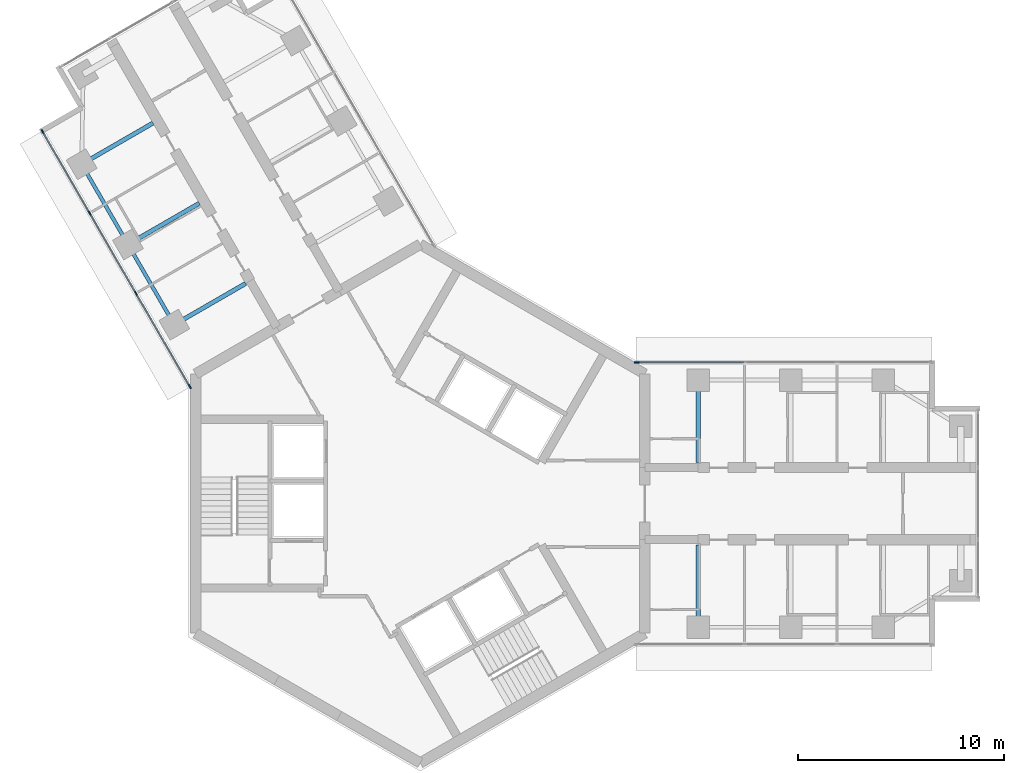
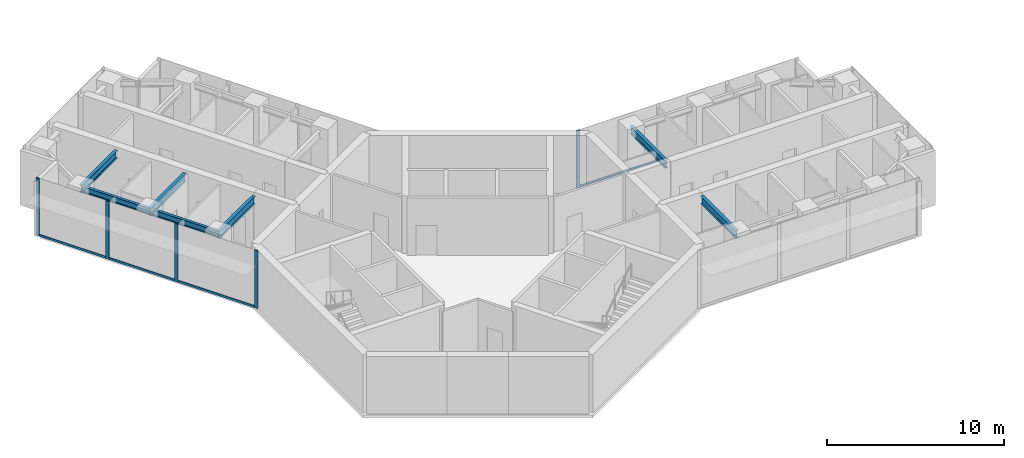
# One storey, part 5 of 17: 9 members, 7 beams, 2 elements without a shape of their own.
"""IFC4 building model written with IfcOpenShell, lengths in metres."""

from ifc_helpers import new_model, si_unit, direction, frame, origin, origin_2d, place, context, subcontext, project, spatial, rectangle, i_section, extrude, material, material_profile, profile_set, type_object, element, aggregate, save


model = new_model("IFC4")

# Units and contexts
model_context = context("Model", 3, precision=1e-05, world=origin(), true_north=direction((0.0, 1.0)))
body_context = subcontext(model_context, "Body", "Model", "MODEL_VIEW")
ifc_project = project(units=[si_unit("LENGTHUNIT", "METRE"), si_unit("AREAUNIT", "SQUARE_METRE"), si_unit("VOLUMEUNIT", "CUBIC_METRE"), si_unit("PLANEANGLEUNIT", "RADIAN"), si_unit("MASSUNIT", "GRAM", prefix="KILO")], contexts=[model_context])

# Site, building, storey
site_placement = place(None, origin())
site = spatial("IfcSite", under=ifc_project, at=site_placement, CompositionType="ELEMENT")
building_placement = place(site_placement, origin())
building = spatial("IfcBuilding", under=site, at=building_placement, Name="Upepo Twin Towers", CompositionType="ELEMENT")
storey_placement = place(building_placement, frame((0.0, 0.0, 230.5)))
storey = spatial("IfcBuildingStorey", under=building, at=storey_placement, Name="L56", CompositionType="ELEMENT", Elevation=230.5)

# Beams
ifc_material_1 = material(Name="Steel S355", Category="steel")
ifc_material_profile_1 = material_profile(ifc_material_1, i_section(OverallWidth=0.177978515625, OverallDepth=0.406494140625, WebThickness=0.0078125, FlangeThickness=0.0126953125, FilletRadius=0.01025390625, at=origin_2d()), Name="UB 406x178x60")
ifc_profile_set_1 = profile_set([ifc_material_profile_1], Name="Steel S355")
beam_type_1 = type_object("IfcBeamType", Name="Beam UB 406x178x60", PredefinedType="BEAM", material=ifc_profile_set_1)
beam_1_placement = place(storey_placement, frame((-11.946044921875, 8.69140625, 3.5966796875), z_axis=(-0.500013631625, 0.866017533419, 0.0), x_axis=(-0.866017533419, -0.500013631625, 0.0)))
element("IfcBeam", 1, at=beam_1_placement, inside=storey, type_object=beam_type_1, Name="T1 edge beam BL 13.5-18.0", PredefinedType="BEAM", context=body_context, shape_type="SweptSolid", body=[
    extrude(i_section(OverallWidth=0.177978515625, OverallDepth=0.406494140625, WebThickness=0.0078125, FlangeThickness=0.0126953125, FilletRadius=0.01025390625, at=origin_2d()), origin(), (0.0, 0.0, 1.0), 4.499755859375),
])
beam_2_placement = place(storey_placement, frame((-14.196044921875, 12.58837890625, 3.5966796875), z_axis=(-0.499990139034, 0.866031096941, 0.0), x_axis=(-0.866031096941, -0.499990139034, 0.0)))
element("IfcBeam", 2, at=beam_2_placement, inside=storey, type_object=beam_type_1, Name="T1 edge beam BL 18.0-22.5", PredefinedType="BEAM", context=body_context, shape_type="SweptSolid", body=[
    extrude(i_section(OverallWidth=0.177978515625, OverallDepth=0.406494140625, WebThickness=0.0078125, FlangeThickness=0.0126953125, FilletRadius=0.01025390625, at=origin_2d()), origin(), (0.0, 0.0, 1.0), 4.5),
])
ifc_material_2 = material(Name="Steel S355", Category="steel")
ifc_material_profile_2 = material_profile(ifc_material_2, i_section(OverallWidth=0.209228515625, OverallDepth=0.533203125, WebThickness=0.010009765625, FlangeThickness=0.015625, FilletRadius=0.0126953125, at=origin_2d()), Name="UB 533x210x92")
ifc_profile_set_2 = profile_set([ifc_material_profile_2], Name="Steel S355")
beam_type_2 = type_object("IfcBeamType", Name="Beam UB 533x210x92", PredefinedType="BEAM", material=ifc_profile_set_2)
for number, where, z_axis, x_axis, name in (
    (3, (13.5, 6.0, 3.533447265625), (0.0, -1.0, 0.0), (1.0, 0.0, 0.0), "T1 girder AL at 13.5"),
    (4, (13.5, -6.0, 3.533447265625), (0.0, 1.0, 0.0), (-1.0, 0.0, 0.0), "T1 girder AR at 13.5"),
    (5, (-11.946044921875, 8.69140625, 3.533447265625), (0.866026010844, 0.49999894854, 0.0), (-0.49999894854, 0.866026010844, 0.0), "T1 girder BL at 13.5"),
    (6, (-14.196044921875, 12.58837890625, 3.533447265625), (0.866026010844, 0.49999894854, 0.0), (-0.49999894854, 0.866026010844, 0.0), "T1 girder BL at 18.0"),
    (7, (-16.446044921875, 16.485595703125, 3.533447265625), (0.866026010844, 0.49999894854, 0.0), (-0.49999894854, 0.866026010844, 0.0), "T1 girder BL at 22.5"),
):
    element("IfcBeam", number, at=place(storey_placement, frame(where, z_axis=z_axis, x_axis=x_axis)), inside=storey, type_object=beam_type_2, Name=name, PredefinedType="BEAM", context=body_context, shape_type="SweptSolid", body=[
        extrude(i_section(OverallWidth=0.209228515625, OverallDepth=0.533203125, WebThickness=0.010009765625, FlangeThickness=0.015625, FilletRadius=0.0126953125, at=origin_2d()), origin(), (0.0, 0.0, 1.0), 4.0),
    ])

# Curtain wall, member
ifc_material_3 = material(Name="Aluminium and fritted glass", Category="aluminium")
curtain_wall_type = type_object("IfcCurtainWallType", Name="Tower curtain wall TW3, fritted glass", PredefinedType="NOTDEFINED", material=ifc_material_3)
curtain_wall_1_placement = place(storey_placement, origin())
curtain_wall_1 = element("IfcCurtainWall", 8, at=curtain_wall_1_placement, inside=storey, type_object=curtain_wall_type, Name="T1 L56 wing A flank L curtain wall", PredefinedType="NOTDEFINED")
ifc_material_4 = material(Name="Aluminium mullion", Category="aluminium")
ifc_material_profile_3 = material_profile(ifc_material_4, rectangle(XDim=0.06494140625, YDim=0.22509765625, at=origin_2d()), Name="MULLION 65x225")
ifc_profile_set_3 = profile_set([ifc_material_profile_3], Name="Aluminium mullion")
member_type_1 = type_object("IfcMemberType", Name="Mullion 65x225 TW3", PredefinedType="MULLION", material=ifc_profile_set_3)
member_1_placement = place(storey_placement, frame((10.51953125, 6.85009765625, 0.0), z_axis=(0.0, 0.0, 1.0), x_axis=(0.0, 1.0, 0.0)))
member_1 = element("IfcMember", 9, at=member_1_placement, type_object=member_type_1, Name="T1 L56 wing A flank L curtain wall mullion 1", PredefinedType="MULLION", context=body_context, shape_type="SweptSolid", body=[
    extrude(rectangle(XDim=0.06494140625, YDim=0.22509765625, at=origin_2d()), origin(), (0.0, 0.0, 1.0), 4.0),
])

# Curtain wall, members
curtain_wall_2_placement = place(storey_placement, origin())
curtain_wall_2 = element("IfcCurtainWall", 10, at=curtain_wall_2_placement, inside=storey, type_object=curtain_wall_type, Name="T1 L56 wing B flank L curtain wall", PredefinedType="NOTDEFINED")
member_2_placement = place(storey_placement, frame((-11.192138671875, 5.685302734375, 0.0), z_axis=(0.0, 0.0, 1.0), x_axis=(-0.866025388469, -0.500000026527, 0.0)))
member_2 = element("IfcMember", 11, at=member_2_placement, type_object=member_type_1, Name="T1 L56 wing B flank L curtain wall mullion 1", PredefinedType="MULLION", context=body_context, shape_type="SweptSolid", body=[
    extrude(rectangle(XDim=0.06494140625, YDim=0.22509765625, at=origin_2d()), origin(), (0.0, 0.0, 1.0), 4.0),
])
member_3_placement = place(storey_placement, frame((-13.807373046875, 10.21484375, 0.0), z_axis=(0.0, 0.0, 1.0), x_axis=(-0.866025388469, -0.500000026527, 0.0)))
member_3 = element("IfcMember", 12, at=member_3_placement, type_object=member_type_1, Name="T1 L56 wing B flank L curtain wall mullion 2", PredefinedType="MULLION", context=body_context, shape_type="SweptSolid", body=[
    extrude(rectangle(XDim=0.06494140625, YDim=0.22509765625, at=origin_2d()), origin(), (0.0, 0.0, 1.0), 4.0),
])
member_4_placement = place(storey_placement, frame((-16.057373046875, 14.112060546875, 0.0), z_axis=(0.0, 0.0, 1.0), x_axis=(-0.866025388469, -0.500000026527, 0.0)))
member_4 = element("IfcMember", 13, at=member_4_placement, type_object=member_type_1, Name="T1 L56 wing B flank L curtain wall mullion 3", PredefinedType="MULLION", context=body_context, shape_type="SweptSolid", body=[
    extrude(rectangle(XDim=0.06494140625, YDim=0.22509765625, at=origin_2d()), origin(), (0.0, 0.0, 1.0), 4.0),
])
member_5_placement = place(storey_placement, frame((-18.341064453125, 18.067626953125, 0.0), z_axis=(0.0, 0.0, 1.0), x_axis=(-0.866025388469, -0.500000026527, 0.0)))
member_5 = element("IfcMember", 14, at=member_5_placement, type_object=member_type_1, Name="T1 L56 wing B flank L curtain wall mullion 4", PredefinedType="MULLION", context=body_context, shape_type="SweptSolid", body=[
    extrude(rectangle(XDim=0.06494140625, YDim=0.22509765625, at=origin_2d()), origin(), (0.0, 0.0, 1.0), 4.0),
])

# Member
ifc_material_5 = material(Name="Aluminium transom", Category="aluminium")
ifc_material_profile_4 = material_profile(ifc_material_5, rectangle(XDim=0.06494140625, YDim=0.14990234375, at=origin_2d()), Name="TRANSOM 65x150")
ifc_profile_set_4 = profile_set([ifc_material_profile_4], Name="Aluminium transom")
member_type_2 = type_object("IfcMemberType", Name="Transom 65x150 TW3", PredefinedType="USERDEFINED", material=ifc_profile_set_4)
member_6_placement = place(storey_placement, frame((10.552001953125, 6.85009765625, 0.074951171875), z_axis=(1.0, 0.0, 0.0), x_axis=(0.0, 1.0, 0.0)))
member_6 = element("IfcMember", 15, at=member_6_placement, type_object=member_type_2, Name="T1 L56 wing A flank L curtain wall transom 1", ObjectType="TRANSOM", PredefinedType="USERDEFINED", context=body_context, shape_type="SweptSolid", body=[
    extrude(rectangle(XDim=0.06494140625, YDim=0.14990234375, at=origin_2d()), origin(), (0.0, 0.0, 1.0), 5.16552734375),
])

aggregate(curtain_wall_1, [member_1, member_6])

member_7_placement = place(storey_placement, frame((-11.208251953125, 5.71337890625, 0.074951171875), z_axis=(-0.500007480159, 0.86602108507, 0.0), x_axis=(-0.86602108507, -0.500007480159, 0.0)))
member_7 = element("IfcMember", 16, at=member_7_placement, type_object=member_type_2, Name="T1 L56 wing B flank L curtain wall transom 1", ObjectType="TRANSOM", PredefinedType="USERDEFINED", context=body_context, shape_type="SweptSolid", body=[
    extrude(rectangle(XDim=0.06494140625, YDim=0.14990234375, at=origin_2d()), origin(), (0.0, 0.0, 1.0), 5.16552734375),
])

member_8_placement = place(storey_placement, frame((-13.823486328125, 10.2431640625, 0.074951171875), z_axis=(-0.500005184116, 0.866022410713, 0.0), x_axis=(-0.866022410713, -0.500005184116, 0.0)))
member_8 = element("IfcMember", 17, at=member_8_placement, type_object=member_type_2, Name="T1 L56 wing B flank L curtain wall transom 2", ObjectType="TRANSOM", PredefinedType="USERDEFINED", context=body_context, shape_type="SweptSolid", body=[
    extrude(rectangle(XDim=0.06494140625, YDim=0.14990234375, at=origin_2d()), origin(), (0.0, 0.0, 1.0), 4.43505859375),
])

member_9_placement = place(storey_placement, frame((-16.073486328125, 14.14013671875, 0.074951171875), z_axis=(-0.499982167615, 0.866035699072, 0.0), x_axis=(-0.866035699072, -0.499982167615, 0.0)))
member_9 = element("IfcMember", 18, at=member_9_placement, type_object=member_type_2, Name="T1 L56 wing B flank L curtain wall transom 3", ObjectType="TRANSOM", PredefinedType="USERDEFINED", context=body_context, shape_type="SweptSolid", body=[
    extrude(rectangle(XDim=0.06494140625, YDim=0.14990234375, at=origin_2d()), origin(), (0.0, 0.0, 1.0), 4.502685546875),
])

aggregate(curtain_wall_2, [member_2, member_3, member_4, member_5, member_7, member_8, member_9])

save(model, "model.ifc")
